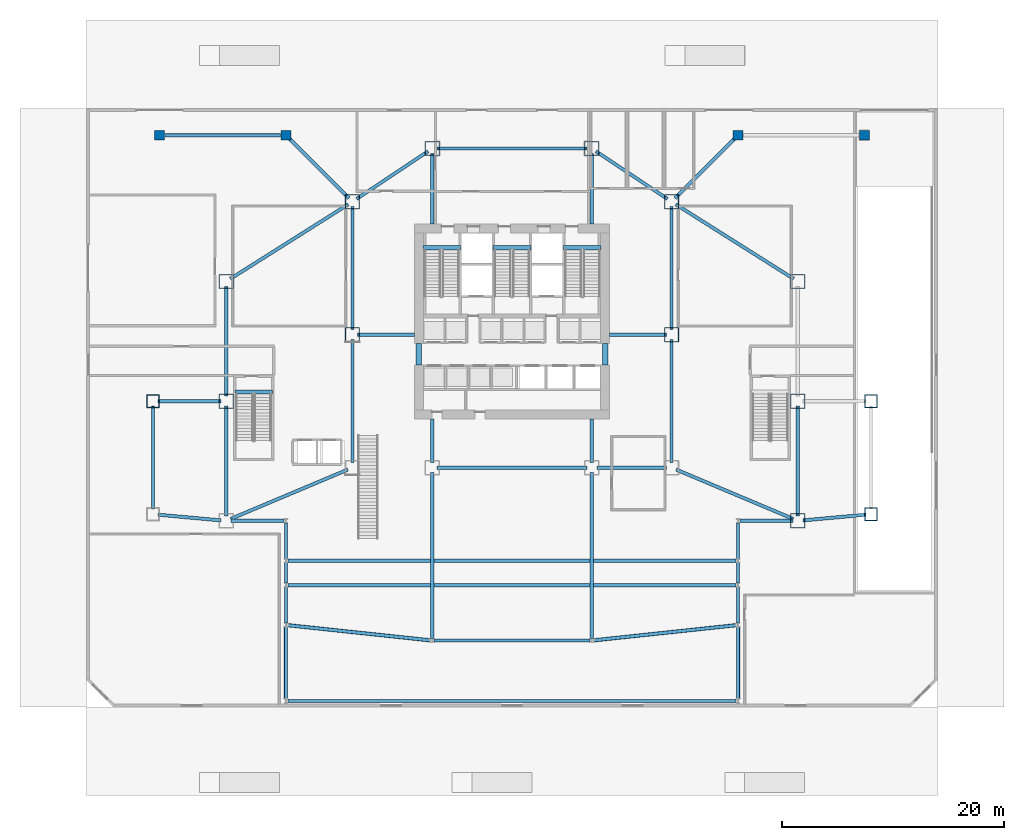
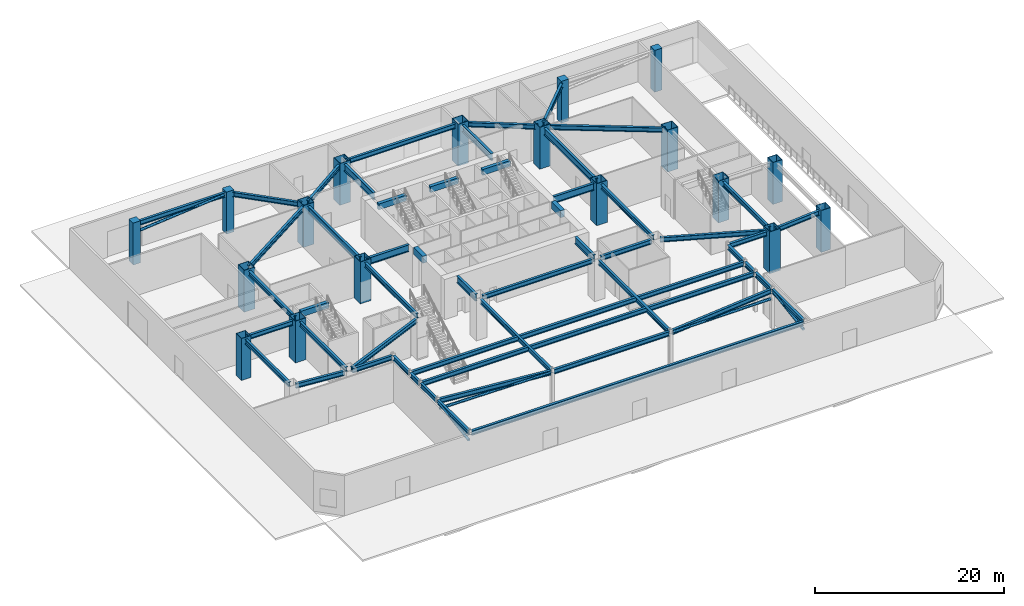
# One storey, part 3 of 20: 53 beams, 18 columns, 5 members.
"""IFC4 building model written with IfcOpenShell, lengths in metres."""

from ifc_helpers import new_model, si_unit, direction, frame, origin, origin_2d, place, context, subcontext, project, spatial, rectangle, hollow_rectangle, hollow_circle, i_section, extrude, material, material_profile, profile_set, type_object, element, save


model = new_model("IFC4")

# Units and contexts
model_context = context("Model", 3, precision=1e-05, world=origin(), true_north=direction((0.0, 1.0)))
body_context = subcontext(model_context, "Body", "Model", "MODEL_VIEW")
ifc_project = project(units=[si_unit("LENGTHUNIT", "METRE"), si_unit("AREAUNIT", "SQUARE_METRE"), si_unit("VOLUMEUNIT", "CUBIC_METRE"), si_unit("PLANEANGLEUNIT", "RADIAN"), si_unit("MASSUNIT", "GRAM", prefix="KILO")], contexts=[model_context])

# Site, building, storey
site_placement = place(None, origin())
site = spatial("IfcSite", under=ifc_project, at=site_placement, CompositionType="ELEMENT")
building_placement = place(site_placement, origin())
building = spatial("IfcBuilding", under=site, at=building_placement, Name="Haolan Belvedere Tower", CompositionType="ELEMENT")
storey_placement = place(building_placement, origin())
storey = spatial("IfcBuildingStorey", under=building, at=storey_placement, Name="L00", CompositionType="ELEMENT", Elevation=0.0)

# Columns
ifc_material_1 = material(Name="Steel Q355B", Category="steel")
ifc_material_profile_1 = material_profile(ifc_material_1, hollow_rectangle(XDim=1.14990234375, YDim=1.14990234375, WallThickness=0.0419921875, at=origin_2d()), Name="Steel Q355B")
ifc_profile_set_1 = profile_set([ifc_material_profile_1], Name="Steel Q355B")
column_type_1 = type_object("IfcColumnType", Name="COL-BOX1150x1150x42", PredefinedType="COLUMN", material=ifc_profile_set_1)
for number, where, z_axis, x_axis, name in (
    (1, (6.0, 27.60009765625, 0.0), (0.0, 0.0, 1.0), (1.0, 0.0, 0.0), "L00 column MC-T1-NW (BOX1150x1150x42)"),
    (2, (70.800048828125, 17.39990234375, 0.0), (0.0, 0.0, 1.0), (1.0, 0.0, 0.0), "L00 column MC-T5-SE (BOX1150x1150x42)"),
    (3, (70.800048828125, 27.60009765625, 0.0), (0.0, 0.0, 1.0), (1.0, 0.0, 0.0), "L00 column MC-T5-NE (BOX1150x1150x42)"),
):
    element("IfcColumn", number, at=place(storey_placement, frame(where, z_axis=z_axis, x_axis=x_axis)), inside=storey, type_object=column_type_1, Name=name, PredefinedType="COLUMN", context=body_context, shape_type="SweptSolid", body=[
        extrude(hollow_rectangle(XDim=1.14990234375, YDim=1.14990234375, WallThickness=0.0419921875, at=origin_2d()), origin(), (0.0, 0.0, 1.0), 5.39990234375),
    ])
ifc_material_profile_2 = material_profile(ifc_material_1, hollow_rectangle(XDim=1.300048828125, YDim=1.300048828125, WallThickness=0.048095703125, at=origin_2d()), Name="Steel Q355B")
ifc_profile_set_2 = profile_set([ifc_material_profile_2], Name="Steel Q355B")
column_type_2 = type_object("IfcColumnType", Name="COL-BOX1300x1300x48", PredefinedType="COLUMN", material=ifc_profile_set_2)
for number, where, z_axis, x_axis, name in (
    (4, (24.0, 33.60009765625, 0.0), (0.0, 0.0, 1.0), (1.0, 0.0, 0.0), "L00 column MC-T3-MW (BOX1300x1300x48)"),
    (5, (24.0, 45.60009765625, 0.0), (0.0, 0.0, 1.0), (1.0, 0.0, 0.0), "L00 column MC-T3-NW (BOX1300x1300x48)"),
    (6, (52.800048828125, 33.60009765625, 0.0), (0.0, 0.0, 1.0), (1.0, 0.0, 0.0), "L00 column MC-T3-ME (BOX1300x1300x48)"),
    (7, (52.800048828125, 45.60009765625, 0.0), (0.0, 0.0, 1.0), (1.0, 0.0, 0.0), "L00 column MC-T3-NE (BOX1300x1300x48)"),
    (8, (31.199951171875, 50.39990234375, 0.0), (0.0, 0.0, 1.0), (1.0, 0.0, 0.0), "L00 column MC-T3-N1 (BOX1300x1300x48)"),
    (9, (45.60009765625, 50.39990234375, 0.0), (0.0, 0.0, 1.0), (1.0, 0.0, 0.0), "L00 column MC-T3-N2 (BOX1300x1300x48)"),
    (10, (12.60009765625, 27.60009765625, 0.0), (0.0, 0.0, 1.0), (1.0, 0.0, 0.0), "L00 column MC-T2-MW (BOX1300x1300x48)"),
    (11, (12.60009765625, 38.39990234375, 0.0), (0.0, 0.0, 1.0), (1.0, 0.0, 0.0), "L00 column MC-T2-NW (BOX1300x1300x48)"),
    (12, (64.199951171875, 16.800048828125, 0.0), (0.0, 0.0, 1.0), (1.0, 0.0, 0.0), "L00 column MC-T4-SE (BOX1300x1300x48)"),
    (13, (64.199951171875, 27.60009765625, 0.0), (0.0, 0.0, 1.0), (1.0, 0.0, 0.0), "L00 column MC-T4-ME (BOX1300x1300x48)"),
    (14, (64.199951171875, 38.39990234375, 0.0), (0.0, 0.0, 1.0), (1.0, 0.0, 0.0), "L00 column MC-T4-NE (BOX1300x1300x48)"),
):
    element("IfcColumn", number, at=place(storey_placement, frame(where, z_axis=z_axis, x_axis=x_axis)), inside=storey, type_object=column_type_2, Name=name, PredefinedType="COLUMN", context=body_context, shape_type="SweptSolid", body=[
        extrude(hollow_rectangle(XDim=1.300048828125, YDim=1.300048828125, WallThickness=0.048095703125, at=origin_2d()), origin(), (0.0, 0.0, 1.0), 5.39990234375),
    ])
ifc_material_2 = material(Name="Concrete C50/60", Category="concrete")
ifc_material_profile_3 = material_profile(ifc_material_2, rectangle(XDim=0.89990234375, YDim=0.89990234375, at=origin_2d()), Name="Concrete C50/60")
ifc_profile_set_3 = profile_set([ifc_material_profile_3], Name="Concrete C50/60")
column_type_3 = type_object("IfcColumnType", Name="COL-RC900x900", PredefinedType="COLUMN", material=ifc_profile_set_3)
for number, where, z_axis, x_axis, name in (
    (15, (6.60009765625, 51.60009765625, 0.0), (0.0, 0.0, 1.0), (1.0, 0.0, 0.0), "L00 column PC-NW-1 (RC900x900)"),
    (16, (18.0, 51.60009765625, 0.0), (0.0, 0.0, 1.0), (1.0, 0.0, 0.0), "L00 column PC-NW-2 (RC900x900)"),
    (17, (58.800048828125, 51.60009765625, 0.0), (0.0, 0.0, 1.0), (1.0, 0.0, 0.0), "L00 column PC-NE-1 (RC900x900)"),
    (18, (70.199951171875, 51.60009765625, 0.0), (0.0, 0.0, 1.0), (1.0, 0.0, 0.0), "L00 column PC-NE-2 (RC900x900)"),
):
    element("IfcColumn", number, at=place(storey_placement, frame(where, z_axis=z_axis, x_axis=x_axis)), inside=storey, type_object=column_type_3, Name=name, PredefinedType="COLUMN", context=body_context, shape_type="SweptSolid", body=[
        extrude(rectangle(XDim=0.89990234375, YDim=0.89990234375, at=origin_2d()), origin(), (0.0, 0.0, 1.0), 5.39990234375),
    ])

# Beams
ifc_material_profile_4 = material_profile(ifc_material_1, i_section(OverallWidth=0.300048828125, OverallDepth=0.587890625, WebThickness=0.011962890625, FlangeThickness=0.02001953125, FilletRadius=0.028076171875, at=origin_2d()), Name="Steel Q355B")
ifc_profile_set_4 = profile_set([ifc_material_profile_4], Name="Steel Q355B")
beam_type_1 = type_object("IfcBeamType", Name="BM-HM588x300x12x20", PredefinedType="SPANDREL", material=ifc_profile_set_4)
for number, where, z_axis, x_axis, name in (
    (19, (24.0, 22.050048828125, 4.865966796875), (0.0, 1.0, 0.0), (-1.0, 0.0, 0.0), "L00 spandrel girder MC-T3-SW-MC-T3-MW"),
    (20, (52.800048828125, 22.050048828125, 4.865966796875), (0.0, 1.0, 0.0), (-1.0, 0.0, 0.0), "L00 spandrel girder MC-T3-SE-MC-T3-ME"),
):
    element("IfcBeam", number, at=place(storey_placement, frame(where, z_axis=z_axis, x_axis=x_axis)), inside=storey, type_object=beam_type_1, Name=name, PredefinedType="SPANDREL", context=body_context, shape_type="SweptSolid", body=[
        extrude(i_section(OverallWidth=0.300048828125, OverallDepth=0.587890625, WebThickness=0.011962890625, FlangeThickness=0.02001953125, FilletRadius=0.028076171875, at=origin_2d()), origin(), (0.0, 0.0, 1.0), 11.099853515625),
    ])
beam_1_placement = place(storey_placement, frame((46.050048828125, 21.60009765625, 4.865966796875), z_axis=(1.0, 0.0, 0.0), x_axis=(0.0, 1.0, 0.0)))
element("IfcBeam", 21, at=beam_1_placement, inside=storey, type_object=beam_type_1, Name="L00 spandrel girder MC-T3-S2-MC-T3-SE", PredefinedType="SPANDREL", context=body_context, shape_type="SweptSolid", body=[
    extrude(i_section(OverallWidth=0.300048828125, OverallDepth=0.587890625, WebThickness=0.011962890625, FlangeThickness=0.02001953125, FilletRadius=0.028076171875, at=origin_2d()), origin(), (0.0, 0.0, 1.0), 6.300048828125),
])
beam_2_placement = place(storey_placement, frame((31.64990234375, 21.60009765625, 4.865966796875), z_axis=(1.0, 0.0, 0.0), x_axis=(0.0, 1.0, 0.0)))
element("IfcBeam", 22, at=beam_2_placement, inside=storey, type_object=beam_type_1, Name="L00 spandrel girder MC-T3-S1-MC-T3-S2", PredefinedType="SPANDREL", context=body_context, shape_type="SweptSolid", body=[
    extrude(i_section(OverallWidth=0.300048828125, OverallDepth=0.587890625, WebThickness=0.011962890625, FlangeThickness=0.02001953125, FilletRadius=0.028076171875, at=origin_2d()), origin(), (0.0, 0.0, 1.0), 13.5),
])
for number, where, z_axis, x_axis, name in (
    (23, (24.37451171875, 45.849609375, 4.865966796875), (0.832050294338, 0.554700196225, 0.0), (-0.554700196225, 0.832050294338, 0.0), "L00 spandrel girder MC-T3-NW-MC-T3-N1"),
    (24, (45.974365234375, 50.150390625, 4.865966796875), (0.832050294338, -0.554700196225, 0.0), (0.554700196225, 0.832050294338, 0.0), "L00 spandrel girder MC-T3-N2-MC-T3-NE"),
):
    element("IfcBeam", number, at=place(storey_placement, frame(where, z_axis=z_axis, x_axis=x_axis)), inside=storey, type_object=beam_type_1, Name=name, PredefinedType="SPANDREL", context=body_context, shape_type="SweptSolid", body=[
        extrude(i_section(OverallWidth=0.300048828125, OverallDepth=0.587890625, WebThickness=0.011962890625, FlangeThickness=0.02001953125, FilletRadius=0.028076171875, at=origin_2d()), origin(), (0.0, 0.0, 1.0), 7.75341796875),
    ])
beam_3_placement = place(storey_placement, frame((31.64990234375, 50.39990234375, 4.865966796875), z_axis=(1.0, 0.0, 0.0), x_axis=(0.0, 1.0, 0.0)))
element("IfcBeam", 25, at=beam_3_placement, inside=storey, type_object=beam_type_1, Name="L00 spandrel girder MC-T3-N1-MC-T3-N2", PredefinedType="SPANDREL", context=body_context, shape_type="SweptSolid", body=[
    extrude(i_section(OverallWidth=0.300048828125, OverallDepth=0.587890625, WebThickness=0.011962890625, FlangeThickness=0.02001953125, FilletRadius=0.028076171875, at=origin_2d()), origin(), (0.0, 0.0, 1.0), 13.5),
])
for number, where, z_axis, x_axis, name in (
    (26, (12.60009765625, 17.25, 4.865966796875), (0.0, 1.0, 0.0), (-1.0, 0.0, 0.0), "L00 spandrel girder MC-T2-SW-MC-T2-MW"),
    (27, (12.60009765625, 28.050048828125, 4.865966796875), (0.0, 1.0, 0.0), (-1.0, 0.0, 0.0), "L00 spandrel girder MC-T2-MW-MC-T2-NW"),
):
    element("IfcBeam", number, at=place(storey_placement, frame(where, z_axis=z_axis, x_axis=x_axis)), inside=storey, type_object=beam_type_1, Name=name, PredefinedType="SPANDREL", context=body_context, shape_type="SweptSolid", body=[
        extrude(i_section(OverallWidth=0.300048828125, OverallDepth=0.587890625, WebThickness=0.011962890625, FlangeThickness=0.02001953125, FilletRadius=0.028076171875, at=origin_2d()), origin(), (0.0, 0.0, 1.0), 9.89990234375),
    ])
beam_4_placement = place(storey_placement, frame((13.0146484375, 16.974609375, 4.865966796875), z_axis=(0.921637779233, 0.388051290284, 0.0), x_axis=(-0.388051290284, 0.921637779233, 0.0)))
element("IfcBeam", 28, at=beam_4_placement, inside=storey, type_object=beam_type_1, Name="L00 spandrel girder MC-T2-SW-MC-T3-SW", PredefinedType="SPANDREL", context=body_context, shape_type="SweptSolid", body=[
    extrude(i_section(OverallWidth=0.300048828125, OverallDepth=0.587890625, WebThickness=0.011962890625, FlangeThickness=0.02001953125, FilletRadius=0.028076171875, at=origin_2d()), origin(), (0.0, 0.0, 1.0), 11.46923828125),
])
beam_5_placement = place(storey_placement, frame((12.98046875, 38.640380859375, 4.865966796875), z_axis=(0.845497201575, 0.5339798518, 0.0), x_axis=(-0.5339798518, 0.845497201575, 0.0)))
element("IfcBeam", 29, at=beam_5_placement, inside=storey, type_object=beam_type_1, Name="L00 spandrel girder MC-T2-NW-MC-T3-NW", PredefinedType="SPANDREL", context=body_context, shape_type="SweptSolid", body=[
    extrude(i_section(OverallWidth=0.300048828125, OverallDepth=0.587890625, WebThickness=0.011962890625, FlangeThickness=0.02001953125, FilletRadius=0.028076171875, at=origin_2d()), origin(), (0.0, 0.0, 1.0), 12.583251953125),
])
beam_6_placement = place(storey_placement, frame((64.199951171875, 17.25, 4.865966796875), z_axis=(0.0, 1.0, 0.0), x_axis=(-1.0, 0.0, 0.0)))
element("IfcBeam", 30, at=beam_6_placement, inside=storey, type_object=beam_type_1, Name="L00 spandrel girder MC-T4-SE-MC-T4-ME", PredefinedType="SPANDREL", context=body_context, shape_type="SweptSolid", body=[
    extrude(i_section(OverallWidth=0.300048828125, OverallDepth=0.587890625, WebThickness=0.011962890625, FlangeThickness=0.02001953125, FilletRadius=0.028076171875, at=origin_2d()), origin(), (0.0, 0.0, 1.0), 9.89990234375),
])
beam_7_placement = place(storey_placement, frame((53.21484375, 21.42529296875, 4.865966796875), z_axis=(0.92163457375, -0.38805890335, 0.0), x_axis=(0.38805890335, 0.92163457375, 0.0)))
element("IfcBeam", 31, at=beam_7_placement, inside=storey, type_object=beam_type_1, Name="L00 spandrel girder MC-T3-SE-MC-T4-SE", PredefinedType="SPANDREL", context=body_context, shape_type="SweptSolid", body=[
    extrude(i_section(OverallWidth=0.300048828125, OverallDepth=0.587890625, WebThickness=0.011962890625, FlangeThickness=0.02001953125, FilletRadius=0.028076171875, at=origin_2d()), origin(), (0.0, 0.0, 1.0), 11.468994140625),
])
beam_8_placement = place(storey_placement, frame((53.180419921875, 45.359619140625, 4.865966796875), z_axis=(0.845497201575, -0.5339798518, 0.0), x_axis=(0.5339798518, 0.845497201575, 0.0)))
element("IfcBeam", 32, at=beam_8_placement, inside=storey, type_object=beam_type_1, Name="L00 spandrel girder MC-T3-NE-MC-T4-NE", PredefinedType="SPANDREL", context=body_context, shape_type="SweptSolid", body=[
    extrude(i_section(OverallWidth=0.300048828125, OverallDepth=0.587890625, WebThickness=0.011962890625, FlangeThickness=0.02001953125, FilletRadius=0.028076171875, at=origin_2d()), origin(), (0.0, 0.0, 1.0), 12.583251953125),
])
beam_9_placement = place(storey_placement, frame((6.0, 17.85009765625, 4.865966796875), z_axis=(0.0, 1.0, 0.0), x_axis=(-1.0, 0.0, 0.0)))
element("IfcBeam", 33, at=beam_9_placement, inside=storey, type_object=beam_type_1, Name="L00 spandrel girder MC-T1-SW-MC-T1-NW", PredefinedType="SPANDREL", context=body_context, shape_type="SweptSolid", body=[
    extrude(i_section(OverallWidth=0.300048828125, OverallDepth=0.587890625, WebThickness=0.011962890625, FlangeThickness=0.02001953125, FilletRadius=0.028076171875, at=origin_2d()), origin(), (0.0, 0.0, 1.0), 9.2998046875),
])
beam_10_placement = place(storey_placement, frame((6.4482421875, 17.359375, 4.865966796875), z_axis=(0.995892507606, -0.090543433189, 0.0), x_axis=(0.090543433189, 0.995892507606, 0.0)))
element("IfcBeam", 34, at=beam_10_placement, inside=storey, type_object=beam_type_1, Name="L00 spandrel girder MC-T1-SW-MC-T2-SW", PredefinedType="SPANDREL", context=body_context, shape_type="SweptSolid", body=[
    extrude(i_section(OverallWidth=0.300048828125, OverallDepth=0.587890625, WebThickness=0.011962890625, FlangeThickness=0.02001953125, FilletRadius=0.028076171875, at=origin_2d()), origin(), (0.0, 0.0, 1.0), 5.72705078125),
])
beam_11_placement = place(storey_placement, frame((6.449951171875, 27.60009765625, 4.865966796875), z_axis=(1.0, 0.0, 0.0), x_axis=(0.0, 1.0, 0.0)))
element("IfcBeam", 35, at=beam_11_placement, inside=storey, type_object=beam_type_1, Name="L00 spandrel girder MC-T1-NW-MC-T2-MW", PredefinedType="SPANDREL", context=body_context, shape_type="SweptSolid", body=[
    extrude(i_section(OverallWidth=0.300048828125, OverallDepth=0.587890625, WebThickness=0.011962890625, FlangeThickness=0.02001953125, FilletRadius=0.028076171875, at=origin_2d()), origin(), (0.0, 0.0, 1.0), 5.699951171875),
])
beam_12_placement = place(storey_placement, frame((64.648193359375, 16.8408203125, 4.865966796875), z_axis=(0.995892507606, 0.090543433189, 0.0), x_axis=(-0.090543433189, 0.995892507606, 0.0)))
element("IfcBeam", 36, at=beam_12_placement, inside=storey, type_object=beam_type_1, Name="L00 spandrel girder MC-T4-SE-MC-T5-SE", PredefinedType="SPANDREL", context=body_context, shape_type="SweptSolid", body=[
    extrude(i_section(OverallWidth=0.300048828125, OverallDepth=0.587890625, WebThickness=0.011962890625, FlangeThickness=0.02001953125, FilletRadius=0.028076171875, at=origin_2d()), origin(), (0.0, 0.0, 1.0), 5.72705078125),
])
beam_13_placement = place(storey_placement, frame((7.050048828125, 51.60009765625, 4.865966796875), z_axis=(1.0, 0.0, 0.0), x_axis=(0.0, 1.0, 0.0)))
element("IfcBeam", 37, at=beam_13_placement, inside=storey, type_object=beam_type_1, Name="L00 spandrel girder PC-NW-1-PC-NW-2", PredefinedType="SPANDREL", context=body_context, shape_type="SweptSolid", body=[
    extrude(i_section(OverallWidth=0.300048828125, OverallDepth=0.587890625, WebThickness=0.011962890625, FlangeThickness=0.02001953125, FilletRadius=0.028076171875, at=origin_2d()), origin(), (0.0, 0.0, 1.0), 10.5),
])
beam_14_placement = place(storey_placement, frame((18.318115234375, 51.28173828125, 4.865966796875), z_axis=(0.707122873923, -0.707090688084, 0.0), x_axis=(0.707090688084, 0.707122873923, 0.0)))
element("IfcBeam", 38, at=beam_14_placement, inside=storey, type_object=beam_type_1, Name="L00 spandrel girder PC-NW-2-MC-T3-NW", PredefinedType="SPANDREL", context=body_context, shape_type="SweptSolid", body=[
    extrude(i_section(OverallWidth=0.300048828125, OverallDepth=0.587890625, WebThickness=0.011962890625, FlangeThickness=0.02001953125, FilletRadius=0.028076171875, at=origin_2d()), origin(), (0.0, 0.0, 1.0), 7.58544921875),
])
beam_15_placement = place(storey_placement, frame((53.1181640625, 45.918212890625, 4.865966796875), z_axis=(0.707106781187, 0.707106781187, 0.0), x_axis=(-0.707106781187, 0.707106781187, 0.0)))
element("IfcBeam", 39, at=beam_15_placement, inside=storey, type_object=beam_type_1, Name="L00 spandrel girder MC-T3-NE-PC-NE-1", PredefinedType="SPANDREL", context=body_context, shape_type="SweptSolid", body=[
    extrude(i_section(OverallWidth=0.300048828125, OverallDepth=0.587890625, WebThickness=0.011962890625, FlangeThickness=0.02001953125, FilletRadius=0.028076171875, at=origin_2d()), origin(), (0.0, 0.0, 1.0), 7.585205078125),
])
beam_16_placement = place(storey_placement, frame((18.175048828125, 0.550048828125, 4.865966796875), z_axis=(1.0, 0.0, 0.0), x_axis=(0.0, 1.0, 0.0)))
element("IfcBeam", 40, at=beam_16_placement, inside=storey, type_object=beam_type_1, Name="L00 spandrel girder PC-S0-W-PC-S0-E", PredefinedType="SPANDREL", context=body_context, shape_type="SweptSolid", body=[
    extrude(i_section(OverallWidth=0.300048828125, OverallDepth=0.587890625, WebThickness=0.011962890625, FlangeThickness=0.02001953125, FilletRadius=0.028076171875, at=origin_2d()), origin(), (0.0, 0.0, 1.0), 40.449951171875),
])
for number, where, z_axis, x_axis, name in (
    (41, (18.0, 0.72509765625, 4.865966796875), (0.0, 1.0, 0.0), (-1.0, 0.0, 0.0), "L00 spandrel girder PC-S0-W-PC-SW-1"),
    (42, (58.800048828125, 0.72509765625, 4.865966796875), (0.0, 1.0, 0.0), (-1.0, 0.0, 0.0), "L00 spandrel girder PC-S0-E-PC-SE-1"),
):
    element("IfcBeam", number, at=place(storey_placement, frame(where, z_axis=z_axis, x_axis=x_axis)), inside=storey, type_object=beam_type_1, Name=name, PredefinedType="SPANDREL", context=body_context, shape_type="SweptSolid", body=[
        extrude(i_section(OverallWidth=0.300048828125, OverallDepth=0.587890625, WebThickness=0.011962890625, FlangeThickness=0.02001953125, FilletRadius=0.028076171875, at=origin_2d()), origin(), (0.0, 0.0, 1.0), 6.5),
    ])
beam_17_placement = place(storey_placement, frame((18.174072265625, 7.381591796875, 4.865966796875), z_axis=(0.994422854868, -0.10546651467, 0.0), x_axis=(0.10546651467, 0.994422854868, 0.0)))
element("IfcBeam", 43, at=beam_17_placement, inside=storey, type_object=beam_type_1, Name="L00 spandrel girder PC-SW-1-PC-SM-1", PredefinedType="SPANDREL", context=body_context, shape_type="SweptSolid", body=[
    extrude(i_section(OverallWidth=0.300048828125, OverallDepth=0.587890625, WebThickness=0.011962890625, FlangeThickness=0.02001953125, FilletRadius=0.028076171875, at=origin_2d()), origin(), (0.0, 0.0, 1.0), 12.923828125),
])
beam_18_placement = place(storey_placement, frame((31.375, 6.0, 4.865966796875), z_axis=(1.0, 0.0, 0.0), x_axis=(0.0, 1.0, 0.0)))
element("IfcBeam", 44, at=beam_18_placement, inside=storey, type_object=beam_type_1, Name="L00 spandrel girder PC-SM-1-PC-SM-2", PredefinedType="SPANDREL", context=body_context, shape_type="SweptSolid", body=[
    extrude(i_section(OverallWidth=0.300048828125, OverallDepth=0.587890625, WebThickness=0.011962890625, FlangeThickness=0.02001953125, FilletRadius=0.028076171875, at=origin_2d()), origin(), (0.0, 0.0, 1.0), 14.050048828125),
])
beam_19_placement = place(storey_placement, frame((45.77392578125, 6.0185546875, 4.865966796875), z_axis=(0.994423064986, 0.105464533487, 0.0), x_axis=(-0.105464533487, 0.994423064986, 0.0)))
element("IfcBeam", 45, at=beam_19_placement, inside=storey, type_object=beam_type_1, Name="L00 spandrel girder PC-SM-2-PC-SE-1", PredefinedType="SPANDREL", context=body_context, shape_type="SweptSolid", body=[
    extrude(i_section(OverallWidth=0.300048828125, OverallDepth=0.587890625, WebThickness=0.011962890625, FlangeThickness=0.02001953125, FilletRadius=0.028076171875, at=origin_2d()), origin(), (0.0, 0.0, 1.0), 12.924072265625),
])
for number, where, z_axis, x_axis, name in (
    (46, (18.0, 7.574951171875, 4.865966796875), (0.0, 1.0, 0.0), (-1.0, 0.0, 0.0), "L00 spandrel girder PC-SW-1-PC-CS2-W"),
    (47, (58.800048828125, 7.574951171875, 4.865966796875), (0.0, 1.0, 0.0), (-1.0, 0.0, 0.0), "L00 spandrel girder PC-SE-1-PC-CS2-E"),
):
    element("IfcBeam", number, at=place(storey_placement, frame(where, z_axis=z_axis, x_axis=x_axis)), inside=storey, type_object=beam_type_1, Name=name, PredefinedType="SPANDREL", context=body_context, shape_type="SweptSolid", body=[
        extrude(i_section(OverallWidth=0.300048828125, OverallDepth=0.587890625, WebThickness=0.011962890625, FlangeThickness=0.02001953125, FilletRadius=0.028076171875, at=origin_2d()), origin(), (0.0, 0.0, 1.0), 3.25),
    ])
beam_20_placement = place(storey_placement, frame((18.175048828125, 11.0, 4.865966796875), z_axis=(1.0, 0.0, 0.0), x_axis=(0.0, 1.0, 0.0)))
element("IfcBeam", 48, at=beam_20_placement, inside=storey, type_object=beam_type_1, Name="L00 spandrel girder PC-CS2-W-PC-CS2-E", PredefinedType="SPANDREL", context=body_context, shape_type="SweptSolid", body=[
    extrude(i_section(OverallWidth=0.300048828125, OverallDepth=0.587890625, WebThickness=0.011962890625, FlangeThickness=0.02001953125, FilletRadius=0.028076171875, at=origin_2d()), origin(), (0.0, 0.0, 1.0), 40.449951171875),
])
for number, where, z_axis, x_axis, name in (
    (49, (18.0, 11.175048828125, 4.865966796875), (0.0, 1.0, 0.0), (-1.0, 0.0, 0.0), "L00 spandrel girder PC-CS2-W-PC-CS3-W"),
    (50, (58.800048828125, 11.175048828125, 4.865966796875), (0.0, 1.0, 0.0), (-1.0, 0.0, 0.0), "L00 spandrel girder PC-CS2-E-PC-CS3-E"),
):
    element("IfcBeam", number, at=place(storey_placement, frame(where, z_axis=z_axis, x_axis=x_axis)), inside=storey, type_object=beam_type_1, Name=name, PredefinedType="SPANDREL", context=body_context, shape_type="SweptSolid", body=[
        extrude(i_section(OverallWidth=0.300048828125, OverallDepth=0.587890625, WebThickness=0.011962890625, FlangeThickness=0.02001953125, FilletRadius=0.028076171875, at=origin_2d()), origin(), (0.0, 0.0, 1.0), 1.849853515625),
    ])
beam_21_placement = place(storey_placement, frame((18.175048828125, 13.199951171875, 4.865966796875), z_axis=(1.0, 0.0, 0.0), x_axis=(0.0, 1.0, 0.0)))
element("IfcBeam", 51, at=beam_21_placement, inside=storey, type_object=beam_type_1, Name="L00 spandrel girder PC-CS3-W-PC-CS3-E", PredefinedType="SPANDREL", context=body_context, shape_type="SweptSolid", body=[
    extrude(i_section(OverallWidth=0.300048828125, OverallDepth=0.587890625, WebThickness=0.011962890625, FlangeThickness=0.02001953125, FilletRadius=0.028076171875, at=origin_2d()), origin(), (0.0, 0.0, 1.0), 40.449951171875),
])
for number, where, z_axis, x_axis, name in (
    (52, (18.0, 13.375, 4.865966796875), (0.0, 1.0, 0.0), (-1.0, 0.0, 0.0), "L00 spandrel girder PC-CS3-W-PC-CS4-W"),
    (53, (58.800048828125, 13.375, 4.865966796875), (0.0, 1.0, 0.0), (-1.0, 0.0, 0.0), "L00 spandrel girder PC-CS3-E-PC-CS4-E"),
):
    element("IfcBeam", number, at=place(storey_placement, frame(where, z_axis=z_axis, x_axis=x_axis)), inside=storey, type_object=beam_type_1, Name=name, PredefinedType="SPANDREL", context=body_context, shape_type="SweptSolid", body=[
        extrude(i_section(OverallWidth=0.300048828125, OverallDepth=0.587890625, WebThickness=0.011962890625, FlangeThickness=0.02001953125, FilletRadius=0.028076171875, at=origin_2d()), origin(), (0.0, 0.0, 1.0), 3.25),
    ])
for number, where, z_axis, x_axis, name in (
    (54, (17.824951171875, 16.800048828125, 4.865966796875), (-1.0, 0.0, 0.0), (0.0, -1.0, 0.0), "L00 spandrel girder PC-CS4-W-MC-T2-SW"),
    (55, (58.97509765625, 16.800048828125, 4.865966796875), (1.0, 0.0, 0.0), (0.0, 1.0, 0.0), "L00 spandrel girder PC-CS4-E-MC-T4-SE"),
):
    element("IfcBeam", number, at=place(storey_placement, frame(where, z_axis=z_axis, x_axis=x_axis)), inside=storey, type_object=beam_type_1, Name=name, PredefinedType="SPANDREL", context=body_context, shape_type="SweptSolid", body=[
        extrude(i_section(OverallWidth=0.300048828125, OverallDepth=0.587890625, WebThickness=0.011962890625, FlangeThickness=0.02001953125, FilletRadius=0.028076171875, at=origin_2d()), origin(), (0.0, 0.0, 1.0), 4.77490234375),
    ])
for number, where, z_axis, x_axis, name in (
    (56, (31.199951171875, 6.175048828125, 4.865966796875), (0.0, 1.0, 0.0), (-1.0, 0.0, 0.0), "L00 spandrel girder PC-SM-1-MC-T3-S1"),
    (57, (45.60009765625, 6.175048828125, 4.865966796875), (0.0, 1.0, 0.0), (-1.0, 0.0, 0.0), "L00 spandrel girder PC-SM-2-MC-T3-S2"),
):
    element("IfcBeam", number, at=place(storey_placement, frame(where, z_axis=z_axis, x_axis=x_axis)), inside=storey, type_object=beam_type_1, Name=name, PredefinedType="SPANDREL", context=body_context, shape_type="SweptSolid", body=[
        extrude(i_section(OverallWidth=0.300048828125, OverallDepth=0.587890625, WebThickness=0.011962890625, FlangeThickness=0.02001953125, FilletRadius=0.028076171875, at=origin_2d()), origin(), (0.0, 0.0, 1.0), 14.974853515625),
    ])
ifc_material_profile_5 = material_profile(ifc_material_1, i_section(OverallWidth=0.300048828125, OverallDepth=0.89990234375, WebThickness=0.01611328125, FlangeThickness=0.028076171875, FilletRadius=0.028076171875, at=origin_2d()), Name="Steel Q355B")
ifc_profile_set_5 = profile_set([ifc_material_profile_5], Name="Steel Q355B")
beam_type_2 = type_object("IfcBeamType", Name="BM-HN900x300x16x28", PredefinedType="BEAM", material=ifc_profile_set_5)
for number, where, z_axis, x_axis, name in (
    (58, (24.0, 34.050048828125, 4.7099609375), (0.0, 1.0, 0.0), (-1.0, 0.0, 0.0), "L00 primary girder MC-T3-MW-MC-T3-NW"),
    (59, (52.800048828125, 34.050048828125, 4.7099609375), (0.0, 1.0, 0.0), (-1.0, 0.0, 0.0), "L00 primary girder MC-T3-ME-MC-T3-NE"),
):
    element("IfcBeam", number, at=place(storey_placement, frame(where, z_axis=z_axis, x_axis=x_axis)), inside=storey, type_object=beam_type_2, Name=name, PredefinedType="BEAM", context=body_context, shape_type="SweptSolid", body=[
        extrude(i_section(OverallWidth=0.300048828125, OverallDepth=0.89990234375, WebThickness=0.01611328125, FlangeThickness=0.028076171875, FilletRadius=0.028076171875, at=origin_2d()), origin(), (0.0, 0.0, 1.0), 11.099853515625),
    ])
for number, where, z_axis, x_axis, name in (
    (60, (24.449951171875, 33.60009765625, 4.7099609375), (1.0, 0.0, 0.0), (0.0, 1.0, 0.0), "L00 core tie beam from MC-T3-MW"),
    (61, (52.35009765625, 33.60009765625, 4.7099609375), (-1.0, 0.0, 0.0), (0.0, -1.0, 0.0), "L00 core tie beam from MC-T3-ME"),
):
    element("IfcBeam", number, at=place(storey_placement, frame(where, z_axis=z_axis, x_axis=x_axis)), inside=storey, type_object=beam_type_2, Name=name, PredefinedType="BEAM", context=body_context, shape_type="SweptSolid", body=[
        extrude(i_section(OverallWidth=0.300048828125, OverallDepth=0.89990234375, WebThickness=0.01611328125, FlangeThickness=0.028076171875, FilletRadius=0.028076171875, at=origin_2d()), origin(), (0.0, 0.0, 1.0), 5.150146484375),
    ])
for number, where, z_axis, x_axis, name in (
    (62, (31.199951171875, 22.050048828125, 4.7099609375), (0.0, 1.0, 0.0), (-1.0, 0.0, 0.0), "L00 core tie beam from MC-T3-S1"),
    (63, (45.60009765625, 22.050048828125, 4.7099609375), (0.0, 1.0, 0.0), (-1.0, 0.0, 0.0), "L00 core tie beam from MC-T3-S2"),
):
    element("IfcBeam", number, at=place(storey_placement, frame(where, z_axis=z_axis, x_axis=x_axis)), inside=storey, type_object=beam_type_2, Name=name, PredefinedType="BEAM", context=body_context, shape_type="SweptSolid", body=[
        extrude(i_section(OverallWidth=0.300048828125, OverallDepth=0.89990234375, WebThickness=0.01611328125, FlangeThickness=0.028076171875, FilletRadius=0.028076171875, at=origin_2d()), origin(), (0.0, 0.0, 1.0), 3.949951171875),
    ])
for number, where, z_axis, x_axis, name in (
    (64, (31.199951171875, 49.949951171875, 4.7099609375), (0.0, -1.0, 0.0), (1.0, 0.0, 0.0), "L00 core tie beam from MC-T3-N1"),
    (65, (45.60009765625, 49.949951171875, 4.7099609375), (0.0, -1.0, 0.0), (1.0, 0.0, 0.0), "L00 core tie beam from MC-T3-N2"),
):
    element("IfcBeam", number, at=place(storey_placement, frame(where, z_axis=z_axis, x_axis=x_axis)), inside=storey, type_object=beam_type_2, Name=name, PredefinedType="BEAM", context=body_context, shape_type="SweptSolid", body=[
        extrude(i_section(OverallWidth=0.300048828125, OverallDepth=0.89990234375, WebThickness=0.01611328125, FlangeThickness=0.028076171875, FilletRadius=0.028076171875, at=origin_2d()), origin(), (0.0, 0.0, 1.0), 6.349853515625),
    ])
ifc_material_profile_6 = material_profile(ifc_material_2, rectangle(XDim=0.39990234375, YDim=0.75, at=origin_2d()), Name="Concrete C50/60")
ifc_profile_set_6 = profile_set([ifc_material_profile_6], Name="Concrete C50/60")
beam_type_3 = type_object("IfcBeamType", Name="BM-RC400x750", PredefinedType="T_BEAM", material=ifc_profile_set_6)
beam_22_placement = place(storey_placement, frame((30.3798828125, 41.429931640625, 5.02490234375), z_axis=(1.0, 0.0, 0.0), x_axis=(0.0, 1.0, 0.0)))
element("IfcBeam", 66, at=beam_22_placement, inside=storey, type_object=beam_type_3, Name="L01 stair ST1 RC header trimmer beam", PredefinedType="BEAM", context=body_context, shape_type="SweptSolid", body=[
    extrude(rectangle(XDim=0.39990234375, YDim=0.75, at=origin_2d()), origin(), (0.0, 0.0, 1.0), 3.360107421875),
])
beam_23_placement = place(storey_placement, frame((36.699951171875, 41.429931640625, 5.02490234375), z_axis=(1.0, 0.0, 0.0), x_axis=(0.0, 1.0, 0.0)))
element("IfcBeam", 67, at=beam_23_placement, inside=storey, type_object=beam_type_3, Name="L01 stair ST3 RC header trimmer beam", PredefinedType="BEAM", context=body_context, shape_type="SweptSolid", body=[
    extrude(rectangle(XDim=0.39990234375, YDim=0.75, at=origin_2d()), origin(), (0.0, 0.0, 1.0), 3.400146484375),
])
beam_24_placement = place(storey_placement, frame((43.06005859375, 41.429931640625, 5.02490234375), z_axis=(1.0, 0.0, 0.0), x_axis=(0.0, 1.0, 0.0)))
element("IfcBeam", 68, at=beam_24_placement, inside=storey, type_object=beam_type_3, Name="L01 stair ST2 RC header trimmer beam", PredefinedType="BEAM", context=body_context, shape_type="SweptSolid", body=[
    extrude(rectangle(XDim=0.39990234375, YDim=0.75, at=origin_2d()), origin(), (0.0, 0.0, 1.0), 3.35986328125),
])
beam_25_placement = place(storey_placement, frame((13.389892578125, 28.429931640625, 5.02490234375), z_axis=(1.0, 0.0, 0.0), x_axis=(0.0, 1.0, 0.0)))
element("IfcBeam", 69, at=beam_25_placement, inside=storey, type_object=beam_type_3, Name="L01 podium stair ST4 RC header trimmer beam", PredefinedType="BEAM", context=body_context, shape_type="SweptSolid", body=[
    extrude(rectangle(XDim=0.39990234375, YDim=0.75, at=origin_2d()), origin(), (0.0, 0.0, 1.0), 3.400146484375),
])
ifc_material_3 = material(Name="Concrete C60/75", Category="concrete")
ifc_material_profile_7 = material_profile(ifc_material_3, rectangle(XDim=0.5, YDim=0.89990234375, at=origin_2d()), Name="Concrete C60/75")
ifc_profile_set_7 = profile_set([ifc_material_profile_7], Name="Concrete C60/75")
beam_type_4 = type_object("IfcBeamType", Name="BM-RC500x900", PredefinedType="LINTEL", material=ifc_profile_set_7)
for number, where, z_axis, x_axis, name in (
    (70, (30.0, 30.85009765625, 4.7099609375), (0.0, 1.0, 0.0), (-1.0, 0.0, 0.0), "L00 west core coupling beam CB-01"),
    (71, (46.800048828125, 30.85009765625, 4.7099609375), (0.0, 1.0, 0.0), (-1.0, 0.0, 0.0), "L00 east core coupling beam CB-01"),
):
    element("IfcBeam", number, at=place(storey_placement, frame(where, z_axis=z_axis, x_axis=x_axis)), inside=storey, type_object=beam_type_4, Name=name, PredefinedType="LINTEL", context=body_context, shape_type="SweptSolid", body=[
        extrude(rectangle(XDim=0.5, YDim=0.89990234375, at=origin_2d()), origin(), (0.0, 0.0, 1.0), 1.949951171875),
    ])

# Members
ifc_material_profile_8 = material_profile(ifc_material_1, hollow_circle(Radius=0.16259765625, WallThickness=0.011962890625, at=origin_2d()), Name="Steel Q355B")
ifc_profile_set_8 = profile_set([ifc_material_profile_8], Name="Steel Q355B")
member_type = type_object("IfcMemberType", Name="MEM-CHS325x12", PredefinedType="BRACE", material=ifc_profile_set_8)
for number, where, z_axis, x_axis, name in (
    (72, (18.0, 0.780029296875, 3.85009765625), (0.0, 0.988084996463, 0.153909193243), (-1.0, 0.0, 0.0), "L00 podium cascade lateral brace 1"),
    (73, (58.800048828125, 0.780029296875, 3.85009765625), (0.0, 0.988084996463, 0.153909193243), (-1.0, 0.0, 0.0), "L00 podium cascade lateral brace 2"),
):
    element("IfcMember", number, at=place(storey_placement, frame(where, z_axis=z_axis, x_axis=x_axis)), inside=storey, type_object=member_type, Name=name, PredefinedType="BRACE", context=body_context, shape_type="SweptSolid", body=[
        extrude(hollow_circle(Radius=0.16259765625, WallThickness=0.011962890625, at=origin_2d()), origin(), (0.0, 0.0, 1.0), 6.497314453125),
    ])
for number, where, z_axis, x_axis, name in (
    (74, (18.219970703125, 7.3798828125, 3.85009765625), (0.991363446175, -0.105651858705, 0.077693000584), (0.105972177567, 0.994369095247, 0.0), "L00 podium cascade lateral brace 3"),
    (75, (45.820068359375, 6.02001953125, 4.85009765625), (0.991363446175, 0.105651858705, -0.077693000584), (-0.105972177567, 0.994369095247, 0.0), "L00 podium cascade lateral brace 4"),
):
    element("IfcMember", number, at=place(storey_placement, frame(where, z_axis=z_axis, x_axis=x_axis)), inside=storey, type_object=member_type, Name=name, PredefinedType="BRACE", context=body_context, shape_type="SweptSolid", body=[
        extrude(hollow_circle(Radius=0.16259765625, WallThickness=0.011962890625, at=origin_2d()), origin(), (0.0, 0.0, 1.0), 12.87109375),
    ])
member_placement = place(storey_placement, frame((7.080078125, 51.60009765625, 3.85009765625), z_axis=(0.995443851169, 0.0, 0.095349563032), x_axis=(0.0, 1.0, 0.0)))
element("IfcMember", 76, at=member_placement, inside=storey, type_object=member_type, Name="L00 podium cascade lateral brace 5", PredefinedType="BRACE", context=body_context, shape_type="SweptSolid", body=[
    extrude(hollow_circle(Radius=0.16259765625, WallThickness=0.011962890625, at=origin_2d()), origin(), (0.0, 0.0, 1.0), 10.48779296875),
])

save(model, "model.ifc")
